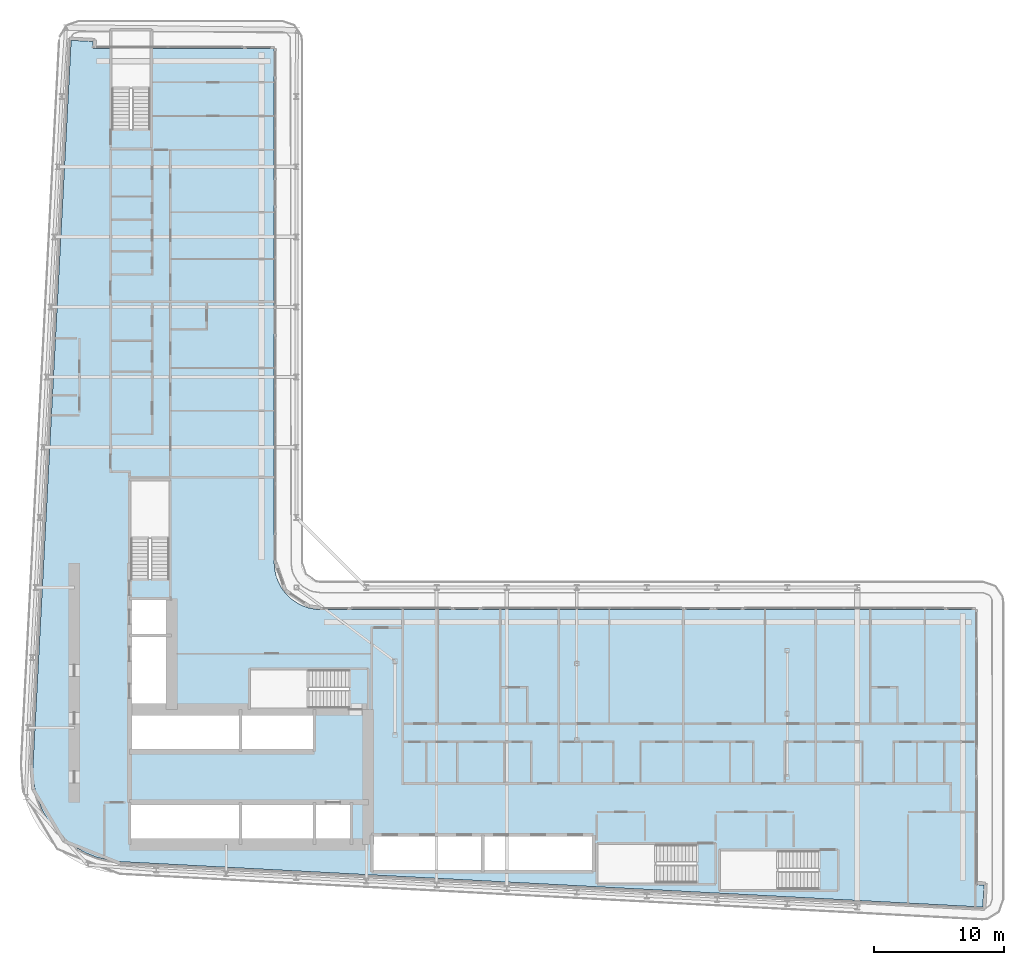
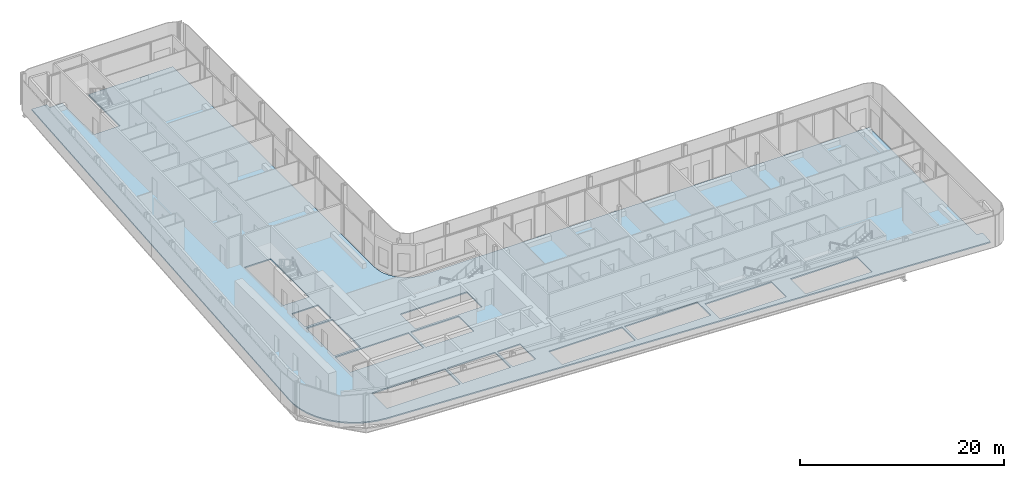
# One storey, part 11 of 27: 1 slab.
"""IFC4 building model written with IfcOpenShell, lengths in metres."""

from ifc_helpers import new_model, si_unit, direction, frame, origin, place, context, subcontext, project, spatial, polyline, outline, extrude, material, layer, layer_set, type_object, element, save


model = new_model("IFC4")

# Units and contexts
model_context = context("Model", 3, precision=1e-05, world=origin(), true_north=direction((0.0, 1.0)))
body_context = subcontext(model_context, "Body", "Model", "MODEL_VIEW")
ifc_project = project(units=[si_unit("LENGTHUNIT", "METRE"), si_unit("AREAUNIT", "SQUARE_METRE"), si_unit("VOLUMEUNIT", "CUBIC_METRE"), si_unit("PLANEANGLEUNIT", "RADIAN"), si_unit("MASSUNIT", "GRAM", prefix="KILO")], contexts=[model_context])

# Site, building, storey
site_placement = place(None, origin())
site = spatial("IfcSite", under=ifc_project, at=site_placement, CompositionType="ELEMENT")
building_placement = place(site_placement, origin())
building = spatial("IfcBuilding", under=site, at=building_placement, Name="Kheshtan School and Residences Tower", CompositionType="ELEMENT")
storey_placement = place(building_placement, frame((0.0, 0.0, 101.89990234375)))
storey = spatial("IfcBuildingStorey", under=building, at=storey_placement, Name="L23", CompositionType="ELEMENT", Elevation=101.89990234375)

# Slab
ifc_material = material(Name="Concrete C40/50", Category="concrete")
ifc_layer = layer(ifc_material, 0.14990234375)
ifc_layer_set = layer_set([ifc_layer], Name="Floor slab 150 Concrete C40/50")
slab_type = type_object("IfcSlabType", Name="Floor slab 150 Concrete C40/50", PredefinedType="FLOOR", material=ifc_layer_set)
slab_placement = place(storey_placement, frame((0.0, 0.0, -0.14990234375)))
element("IfcSlab", 1, at=slab_placement, inside=storey, type_object=slab_type, Name="Floor slab L23", PredefinedType="FLOOR", context=body_context, shape_type="SweptSolid", body=[
    extrude(outline(polyline([(27.718017578125, 29.200927734375), (27.466064453125, 30.093017578125), (27.466064453125, 30.093994140625), (27.3330078125, 31.013916015625), (27.320068359375, 31.965087890625), (27.320068359375, 31.970947265625), (30.25390625, 87.700927734375), (30.2548828125, 87.7080078125), (30.258056640625, 87.73095703125), (30.258056640625, 87.73193359375), (30.259033203125, 87.73193359375), (30.85400390625, 87.699951171875), (30.85498046875, 87.699951171875), (30.85498046875, 87.698974609375), (30.85498046875, 87.695068359375), (30.85498046875, 87.694091796875), (30.85595703125, 87.694091796875), (30.85595703125, 87.693115234375), (30.85693359375, 87.693115234375), (30.85791015625, 87.693115234375), (30.85791015625, 87.694091796875), (30.860107421875, 87.696044921875), (30.861083984375, 87.697021484375), (30.862060546875, 87.697998046875), (30.863037109375, 87.697998046875), (30.863037109375, 87.698974609375), (30.864013671875, 87.698974609375), (30.864013671875, 87.699951171875), (30.864990234375, 87.699951171875), (30.866943359375, 87.700927734375), (30.867919921875, 87.701904296875), (30.87109375, 87.701904296875), (30.8720703125, 87.701904296875), (30.8720703125, 87.702880859375), (30.873046875, 87.702880859375), (30.8779296875, 87.702880859375), (31.93310546875, 87.64697265625), (31.93603515625, 87.64697265625), (31.93701171875, 87.64697265625), (31.93701171875, 87.64599609375), (31.93798828125, 87.64599609375), (31.94189453125, 87.64599609375), (31.94189453125, 87.64501953125), (31.943115234375, 87.64501953125), (31.943115234375, 87.64404296875), (31.944091796875, 87.64404296875), (31.944091796875, 87.64306640625), (31.945068359375, 87.64306640625), (31.946044921875, 87.64306640625), (31.946044921875, 87.64208984375), (31.947021484375, 87.64208984375), (31.947998046875, 87.64208984375), (31.947998046875, 87.64111328125), (31.949951171875, 87.638916015625), (31.950927734375, 87.638916015625), (31.950927734375, 87.637939453125), (31.950927734375, 87.636962890625), (31.951904296875, 87.636962890625), (31.951904296875, 87.635986328125), (31.952880859375, 87.635986328125), (31.952880859375, 87.634033203125), (31.952880859375, 87.633056640625), (31.9541015625, 87.633056640625), (31.9541015625, 87.632080078125), (31.955078125, 87.632080078125), (31.955078125, 87.631103515625), (31.955078125, 87.62890625), (31.955078125, 87.6279296875), (31.9560546875, 87.6279296875), (31.9560546875, 87.626953125), (31.9560546875, 87.6220703125), (31.928955078125, 87.12109375), (31.928955078125, 87.117919921875), (31.928955078125, 87.116943359375), (31.927978515625, 87.116943359375), (31.927978515625, 87.115966796875), (31.927978515625, 87.112060546875), (31.927001953125, 87.111083984375), (31.927001953125, 87.110107421875), (31.926025390625, 87.110107421875), (31.926025390625, 87.10888671875), (31.925048828125, 87.10888671875), (31.925048828125, 87.10791015625), (31.924072265625, 87.10693359375), (31.922119140625, 87.10498046875), (31.9208984375, 87.10400390625), (31.919921875, 87.10400390625), (31.919921875, 87.10302734375), (31.919921875, 87.10205078125), (31.919921875, 87.10107421875), (31.9208984375, 87.10107421875), (31.9208984375, 87.10009765625), (31.922119140625, 87.10009765625), (33.39990234375, 87.10009765625), (33.39990234375, 80.909912109375), (34.800048828125, 80.909912109375), (34.800048828125, 80.89990234375), (36.35009765625, 80.89990234375), (36.35009765625, 87.10009765625), (45.85498046875, 87.10009765625), (45.864990234375, 87.097900390625), (45.865966796875, 87.097900390625), (45.868896484375, 87.095947265625), (45.8740234375, 87.093994140625), (45.8779296875, 87.092041015625), (45.881103515625, 87.090087890625), (45.881103515625, 87.089111328125), (45.882080078125, 87.089111328125), (45.882080078125, 87.087890625), (45.883056640625, 87.087890625), (45.884033203125, 87.0849609375), (45.885009765625, 87.0849609375), (45.885009765625, 87.083984375), (45.887939453125, 87.0830078125), (45.887939453125, 87.08203125), (45.888916015625, 87.08203125), (45.888916015625, 87.0810546875), (45.889892578125, 87.0810546875), (45.89208984375, 87.077880859375), (45.89404296875, 87.073974609375), (45.89599609375, 87.069091796875), (45.89794921875, 87.06591796875), (45.89794921875, 87.06494140625), (45.89990234375, 87.054931640625), (45.89990234375, 47.429931640625), (45.927001953125, 47.030029296875), (46.01806640625, 46.570068359375), (46.01806640625, 46.569091796875), (46.169921875, 46.1201171875), (46.37890625, 45.697021484375), (46.638916015625, 45.30810546875), (46.949951171875, 44.950927734375), (46.950927734375, 44.949951171875), (47.30810546875, 44.638916015625), (47.697021484375, 44.37890625), (48.1201171875, 44.169921875), (48.569091796875, 44.01806640625), (48.570068359375, 44.01806640625), (49.030029296875, 43.927001953125), (49.429931640625, 43.89990234375), (99.85498046875, 43.89990234375), (99.864990234375, 43.89794921875), (99.865966796875, 43.89794921875), (99.868896484375, 43.89599609375), (99.8740234375, 43.89404296875), (99.8779296875, 43.89208984375), (99.881103515625, 43.889892578125), (99.881103515625, 43.888916015625), (99.882080078125, 43.888916015625), (99.882080078125, 43.887939453125), (99.883056640625, 43.887939453125), (99.884033203125, 43.885009765625), (99.885009765625, 43.885009765625), (99.885009765625, 43.884033203125), (99.887939453125, 43.883056640625), (99.887939453125, 43.882080078125), (99.888916015625, 43.882080078125), (99.888916015625, 43.881103515625), (99.889892578125, 43.881103515625), (99.89208984375, 43.8779296875), (99.89404296875, 43.8740234375), (99.89599609375, 43.868896484375), (99.89794921875, 43.865966796875), (99.89794921875, 43.864990234375), (99.89990234375, 43.85498046875), (99.89990234375, 22.708984375), (99.89990234375, 22.7080078125), (99.90087890625, 22.7080078125), (99.90087890625, 22.70703125), (99.902099609375, 22.70703125), (99.903076171875, 22.70703125), (99.903076171875, 22.7080078125), (99.905029296875, 22.7099609375), (99.906982421875, 22.7119140625), (99.907958984375, 22.7119140625), (99.907958984375, 22.712890625), (99.908935546875, 22.712890625), (99.908935546875, 22.714111328125), (99.909912109375, 22.714111328125), (99.912109375, 22.715087890625), (99.9130859375, 22.716064453125), (99.916015625, 22.716064453125), (99.9169921875, 22.716064453125), (99.9169921875, 22.717041015625), (99.91796875, 22.717041015625), (99.923095703125, 22.717041015625), (100.5380859375, 22.68408203125), (100.541015625, 22.68408203125), (100.5419921875, 22.68408203125), (100.5419921875, 22.68310546875), (100.54296875, 22.68310546875), (100.547119140625, 22.68310546875), (100.547119140625, 22.681884765625), (100.548095703125, 22.681884765625), (100.548095703125, 22.680908203125), (100.549072265625, 22.680908203125), (100.549072265625, 22.679931640625), (100.550048828125, 22.679931640625), (100.551025390625, 22.679931640625), (100.551025390625, 22.678955078125), (100.552001953125, 22.678955078125), (100.552978515625, 22.678955078125), (100.552978515625, 22.677978515625), (100.554931640625, 22.676025390625), (100.555908203125, 22.676025390625), (100.555908203125, 22.675048828125), (100.555908203125, 22.674072265625), (100.556884765625, 22.674072265625), (100.556884765625, 22.673095703125), (100.55810546875, 22.673095703125), (100.55810546875, 22.6708984375), (100.55810546875, 22.669921875), (100.55908203125, 22.669921875), (100.55908203125, 22.6689453125), (100.56005859375, 22.6689453125), (100.56005859375, 22.66796875), (100.56005859375, 22.666015625), (100.56005859375, 22.6650390625), (100.56103515625, 22.6650390625), (100.56103515625, 22.6640625), (100.56103515625, 22.658935546875), (100.5048828125, 21.60205078125), (100.5048828125, 21.59912109375), (100.5048828125, 21.597900390625), (100.50390625, 21.597900390625), (100.50390625, 21.596923828125), (100.50390625, 21.593017578125), (100.5029296875, 21.592041015625), (100.5029296875, 21.591064453125), (100.501953125, 21.591064453125), (100.501953125, 21.590087890625), (100.5009765625, 21.590087890625), (100.5009765625, 21.589111328125), (100.5, 21.587890625), (100.498046875, 21.5859375), (100.4970703125, 21.5849609375), (100.49609375, 21.5849609375), (100.49609375, 21.583984375), (100.49609375, 21.5830078125), (100.49609375, 21.58203125), (100.4970703125, 21.58203125), (100.4970703125, 21.5810546875), (100.498046875, 21.5810546875), (100.4990234375, 21.5810546875), (100.5, 21.5810546875), (100.5, 21.580078125), (100.468017578125, 20.985107421875), (100.468017578125, 20.98388671875), (100.467041015625, 20.98388671875), (100.443115234375, 20.98291015625), (100.43798828125, 20.98291015625), (34.056884765625, 24.47802734375), (33.114990234375, 24.590087890625), (32.215087890625, 24.819091796875), (32.214111328125, 24.819091796875), (31.35205078125, 25.1630859375), (30.541015625, 25.616943359375), (29.799072265625, 26.1708984375), (29.799072265625, 26.172119140625), (29.798095703125, 26.172119140625), (29.134033203125, 26.820068359375), (29.134033203125, 26.821044921875), (29.133056640625, 26.821044921875), (28.55908203125, 27.550048828125), (28.0849609375, 28.345947265625), (27.718017578125, 29.200927734375)]), holes=[polyline([(99.89990234375, 21.5869140625), (99.89990234375, 21.5830078125), (99.89990234375, 21.58203125), (99.90087890625, 21.58203125), (99.90087890625, 21.5810546875), (99.902099609375, 21.5810546875), (99.906005859375, 21.5810546875), (99.906982421875, 21.5810546875), (99.906982421875, 21.58203125), (99.907958984375, 21.58203125), (99.907958984375, 21.5830078125), (99.907958984375, 21.583984375), (99.906982421875, 21.583984375), (99.905029296875, 21.5859375), (99.904052734375, 21.5869140625), (99.903076171875, 21.587890625), (99.903076171875, 21.589111328125), (99.902099609375, 21.589111328125), (99.90087890625, 21.589111328125), (99.90087890625, 21.587890625), (99.89990234375, 21.587890625), (99.89990234375, 21.5869140625)]), polyline([(30.85498046875, 87.10595703125), (30.85498046875, 87.10205078125), (30.85498046875, 87.10107421875), (30.85595703125, 87.10107421875), (30.85595703125, 87.10009765625), (30.85693359375, 87.10009765625), (30.861083984375, 87.10009765625), (30.862060546875, 87.10009765625), (30.862060546875, 87.10107421875), (30.863037109375, 87.10107421875), (30.863037109375, 87.10205078125), (30.863037109375, 87.10302734375), (30.862060546875, 87.10302734375), (30.861083984375, 87.10400390625), (30.860107421875, 87.10498046875), (30.85888671875, 87.10595703125), (30.85791015625, 87.10693359375), (30.85791015625, 87.10791015625), (30.85693359375, 87.10791015625), (30.85595703125, 87.10791015625), (30.85595703125, 87.10693359375), (30.85498046875, 87.10693359375), (30.85498046875, 87.10595703125)]), polyline([(34.875, 28.925048828125), (34.875, 25.925048828125), (43.175048828125, 25.925048828125), (43.175048828125, 28.925048828125), (34.875, 28.925048828125)]), polyline([(43.425048828125, 25.925048828125), (48.875, 25.925048828125), (48.875, 28.925048828125), (43.425048828125, 28.925048828125), (43.425048828125, 25.925048828125)]), polyline([(43.175048828125, 36.074951171875), (34.875, 36.074951171875), (34.875, 33.074951171875), (43.175048828125, 33.074951171875), (43.175048828125, 36.074951171875)]), polyline([(34.875, 41.77490234375), (34.875, 36.324951171875), (37.875, 36.324951171875), (37.875, 41.77490234375), (34.875, 41.77490234375)]), polyline([(34.875, 44.625), (34.875, 42.02490234375), (37.875, 42.02490234375), (37.875, 44.625), (34.875, 44.625)]), polyline([(37.800048828125, 46.25), (37.800048828125, 53.81005859375), (34.85009765625, 53.81005859375), (34.85009765625, 46.260009765625), (36.25, 46.260009765625), (36.25, 46.25), (37.800048828125, 46.25)]), polyline([(87.81005859375, 22.35009765625), (87.81005859375, 23.75), (87.820068359375, 23.75), (87.820068359375, 25.300048828125), (80.260009765625, 25.300048828125), (80.260009765625, 22.35009765625), (87.81005859375, 22.35009765625)]), polyline([(70.85009765625, 22.85009765625), (78.39990234375, 22.85009765625), (78.39990234375, 24.25), (78.409912109375, 24.25), (78.409912109375, 25.800048828125), (70.85009765625, 25.800048828125), (70.85009765625, 22.85009765625)]), polyline([(61.824951171875, 26.425048828125), (53.52490234375, 26.425048828125), (53.52490234375, 23.824951171875), (61.824951171875, 23.824951171875), (61.824951171875, 26.425048828125)]), polyline([(62.074951171875, 23.824951171875), (70.375, 23.824951171875), (70.375, 26.425048828125), (62.074951171875, 26.425048828125), (62.074951171875, 23.824951171875)]), polyline([(49.125, 28.925048828125), (49.125, 25.925048828125), (51.72509765625, 25.925048828125), (51.72509765625, 28.925048828125), (49.125, 28.925048828125)]), polyline([(43.425048828125, 33.074951171875), (48.875, 33.074951171875), (48.875, 36.074951171875), (43.425048828125, 36.074951171875), (43.425048828125, 33.074951171875)]), polyline([(51.64990234375, 39.25), (44.090087890625, 39.25), (44.090087890625, 36.300048828125), (51.639892578125, 36.300048828125), (51.639892578125, 37.699951171875), (51.64990234375, 37.699951171875), (51.64990234375, 39.25)])]), origin(), (0.0, 0.0, 1.0), 0.14990234375),
])

save(model, "model.ifc")
